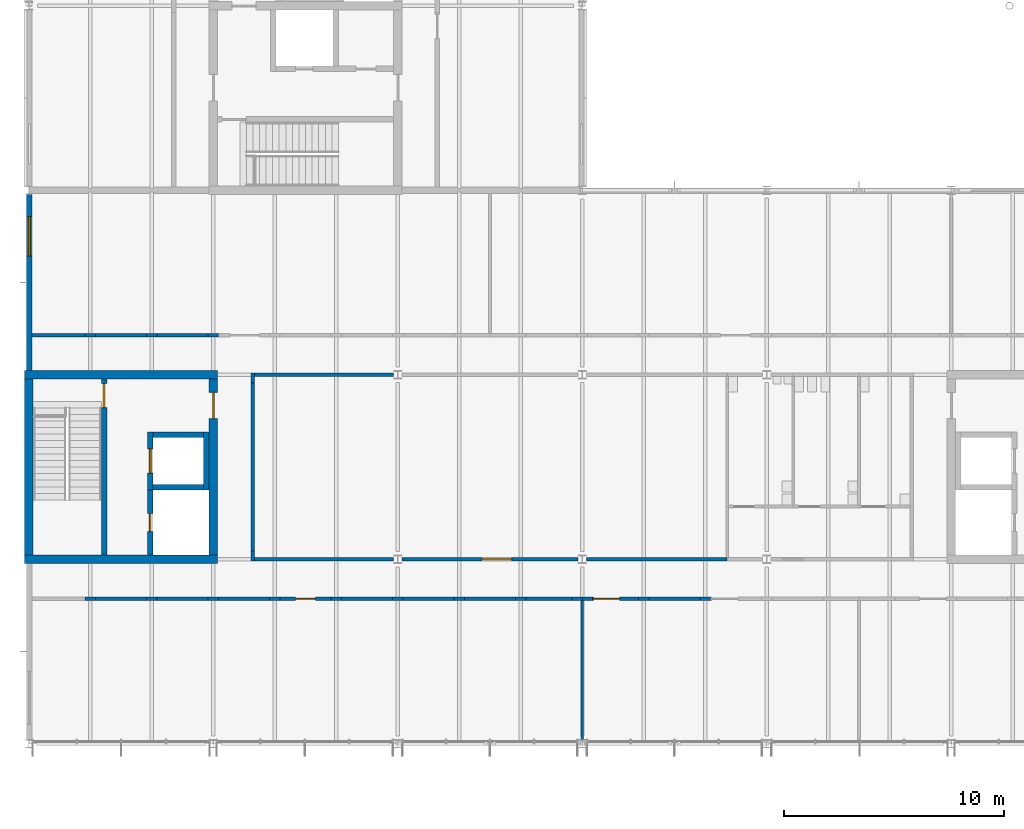
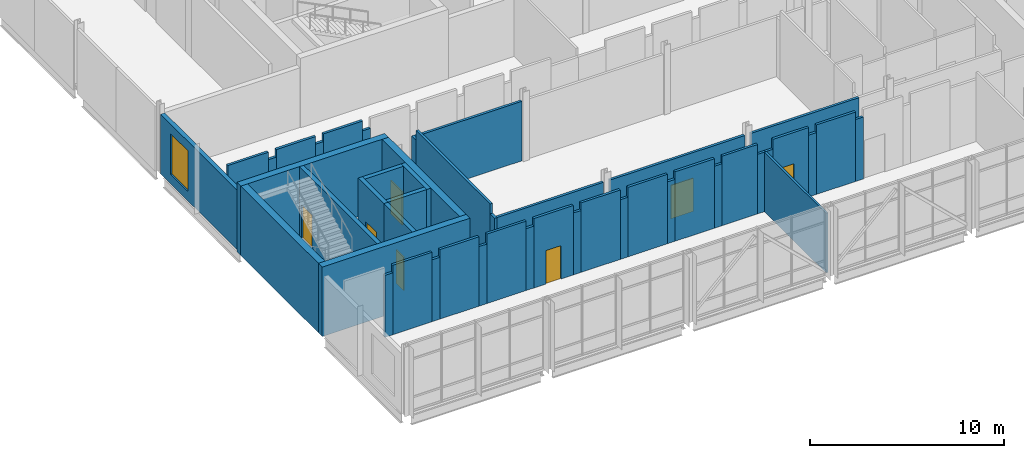
# One storey, part 47 of 89: 47 walls, 7 doors, 1 window, 8 openings.
"""IFC4 building model written with IfcOpenShell, lengths in metres."""

from ifc_helpers import new_model, si_unit, direction, frame, frame_2d, origin, place, context, subcontext, project, spatial, rectangle, extrude, material, layer, layer_set, type_object, element, fill, save


model = new_model("IFC4")

# Units and contexts
model_context = context("Model", 3, precision=1e-05, world=origin(), true_north=direction((0.0, 1.0)))
body_context = subcontext(model_context, "Body", "Model", "MODEL_VIEW")
ifc_project = project(units=[si_unit("LENGTHUNIT", "METRE"), si_unit("AREAUNIT", "SQUARE_METRE"), si_unit("VOLUMEUNIT", "CUBIC_METRE"), si_unit("PLANEANGLEUNIT", "RADIAN"), si_unit("MASSUNIT", "GRAM", prefix="KILO")], contexts=[model_context])

# Site, building, storey
site_placement = place(None, origin())
site = spatial("IfcSite", under=ifc_project, at=site_placement, CompositionType="ELEMENT")
building_placement = place(site_placement, origin())
building = spatial("IfcBuilding", under=site, at=building_placement, Name="Hlaing Beacon Police Headquarters", CompositionType="ELEMENT")
storey_placement = place(building_placement, frame((0.0, 0.0, 9.89990234375)))
storey = spatial("IfcBuildingStorey", under=building, at=storey_placement, Name="L02", CompositionType="ELEMENT", Elevation=9.89990234375)

# Walls
ifc_material_1 = material(Name="Concrete C60/75", Category="concrete")
ifc_layer_1 = layer(ifc_material_1, 0.39990234375)
ifc_layer_set_1 = layer_set([ifc_layer_1], Name="Concrete C60/75")
wall_type_1 = type_object("IfcWallType", Name="Core shear wall 400", PredefinedType="SHEAR", material=ifc_layer_set_1)
for number, where, z_axis, x_axis, name in (
    (1, (8.199951171875, 16.800048828125, 0.0), (0.0, 0.0, 1.0), (1.0, 0.0, 0.0), "Core shear wall"),
    (2, (8.199951171875, 25.199951171875, 0.0), (0.0, 0.0, 1.0), (1.0, 0.0, 0.0), "Core shear wall"),
):
    element("IfcWall", number, at=place(storey_placement, frame(where, z_axis=z_axis, x_axis=x_axis)), inside=storey, type_object=wall_type_1, Name=name, PredefinedType="SHEAR", context=body_context, shape_type="SweptSolid", body=[
        extrude(rectangle(XDim=8.800048828125, YDim=0.39990234375, at=frame_2d((4.39990234375, 0.0))), origin(), (0.0, 0.0, 1.0), 4.3701171875),
    ])
wall_1_placement = place(storey_placement, frame((8.39990234375, 17.0, 0.0), z_axis=(0.0, 0.0, 1.0), x_axis=(0.0, 1.0, 0.0)))
element("IfcWall", 3, at=wall_1_placement, inside=storey, type_object=wall_type_1, Name="Core shear wall", PredefinedType="SHEAR", context=body_context, shape_type="SweptSolid", body=[
    extrude(rectangle(XDim=8.0, YDim=0.39990234375, at=frame_2d((4.0, 0.0))), origin(), (0.0, 0.0, 1.0), 4.3701171875),
])

# Wall, opening, door
wall_2_placement = place(storey_placement, frame((16.800048828125, 17.0, 0.0), z_axis=(0.0, 0.0, 1.0), x_axis=(0.0, 1.0, 0.0)))
wall_2 = element("IfcWall", 4, at=wall_2_placement, inside=storey, type_object=wall_type_1, Name="Core shear wall", PredefinedType="SHEAR", context=body_context, shape_type="SweptSolid", body=[
    extrude(rectangle(XDim=8.0, YDim=0.39990234375, at=frame_2d((4.0, 0.0))), origin(), (0.0, 0.0, 1.0), 4.3701171875),
])
opening_1_placement = place(wall_2_placement, frame((6.199951171875, 0.0, 0.0)))
opening_1 = element("IfcOpeningElement", 5, at=opening_1_placement, cuts=wall_2, Name="Opening L02-908", PredefinedType="OPENING", context=body_context, shape_type="SweptSolid", body=[
    extrude(rectangle(XDim=1.199951171875, YDim=2.10009765625, at=frame_2d((0.60009765625, 1.050048828125))), frame((0.0, 0.2099609375, 0.0), z_axis=(0.0, -1.0, 0.0), x_axis=(1.0, 0.0, 0.0)), (0.0, 0.0, 1.0), 0.419921875),
])
ifc_material_2 = material(Name="Steel fire door leaf", Category="steel")
ifc_layer_2 = layer(ifc_material_2, 0.070068359375)
ifc_layer_set_2 = layer_set([ifc_layer_2], Name="Steel fire door leaf")
door_type_1 = type_object("IfcDoorType", Name="Steel fire door FD60S 1200x2100", OperationType="SINGLE_SWING_LEFT", PredefinedType="DOOR", material=ifc_layer_set_2)
door_1_placement = place(opening_1_placement, origin())
door_1 = element("IfcDoor", 6, at=door_1_placement, inside=storey, type_object=door_type_1, Name="Door Lift and Stair Lobby ST-J Entry", OperationType="SINGLE_SWING_RIGHT", OverallHeight=2.10009765625, OverallWidth=1.199951171875, PredefinedType="DOOR", context=body_context, shape_type="SweptSolid", body=[
    extrude(rectangle(XDim=1.199951171875, YDim=2.10009765625, at=frame_2d((0.60009765625, 1.050048828125))), frame((0.0, 0.03515625, 0.0), z_axis=(0.0, -1.0, 0.0), x_axis=(1.0, 0.0, 0.0)), (0.0, 0.0, 1.0), 0.070068359375),
])
fill(opening_1, door_1)

# Walls
ifc_material_3 = material(Name="Gypsum board partition")
ifc_layer_3 = layer(ifc_material_3, 0.14990234375)
ifc_layer_set_3 = layer_set([ifc_layer_3], Name="Gypsum board partition")
wall_type_2 = type_object("IfcWallType", Name="Corridor wall EI 30 150", PredefinedType="PARTITIONING", material=ifc_layer_set_3)
wall_3_placement = place(storey_placement, frame((18.60009765625, 16.72509765625, 0.0), z_axis=(0.0, 0.0, 1.0), x_axis=(0.0, 1.0, 0.0)))
element("IfcWall", 7, at=wall_3_placement, inside=storey, type_object=wall_type_2, Name="Corridor wall EI 30 150", PredefinedType="PARTITIONING", context=body_context, shape_type="SweptSolid", body=[
    extrude(rectangle(XDim=0.4599609375, YDim=0.14990234375, at=frame_2d((0.22998046875, 0.0))), origin(), (0.0, 0.0, 1.0), 3.74609375),
])
wall_4_placement = place(storey_placement, frame((18.60009765625, 17.18505859375, 0.0), z_axis=(0.0, 0.0, 1.0), x_axis=(0.0, 1.0, 0.0)))
element("IfcWall", 8, at=wall_4_placement, inside=storey, type_object=wall_type_2, Name="Corridor wall EI 30 150", PredefinedType="PARTITIONING", context=body_context, shape_type="SweptSolid", body=[
    extrude(rectangle(XDim=7.6298828125, YDim=0.14990234375, at=frame_2d((3.81494140625, 0.0))), origin(), (0.0, 0.0, 1.0), 4.3701171875),
])
wall_5_placement = place(storey_placement, frame((18.60009765625, 24.81494140625, 0.0), z_axis=(0.0, 0.0, 1.0), x_axis=(0.0, 1.0, 0.0)))
element("IfcWall", 9, at=wall_5_placement, inside=storey, type_object=wall_type_2, Name="Corridor wall EI 30 150", PredefinedType="PARTITIONING", context=body_context, shape_type="SweptSolid", body=[
    extrude(rectangle(XDim=0.4599609375, YDim=0.14990234375, at=frame_2d((0.22998046875, 0.0))), origin(), (0.0, 0.0, 1.0), 3.74609375),
])
wall_6_placement = place(storey_placement, frame((18.675048828125, 16.800048828125, 0.0), z_axis=(0.0, 0.0, 1.0), x_axis=(1.0, 0.0, 0.0)))
element("IfcWall", 10, at=wall_6_placement, inside=storey, type_object=wall_type_2, Name="Corridor wall EI 30 150", PredefinedType="PARTITIONING", context=body_context, shape_type="SweptSolid", body=[
    extrude(rectangle(XDim=6.3388671875, YDim=0.14990234375, at=frame_2d((3.16943359375, 0.0))), origin(), (0.0, 0.0, 1.0), 3.74609375),
])

# Wall, opening, door
wall_7_placement = place(storey_placement, frame((25.385986328125, 16.800048828125, 0.0), z_axis=(0.0, 0.0, 1.0), x_axis=(1.0, 0.0, 0.0)))
wall_7 = element("IfcWall", 11, at=wall_7_placement, inside=storey, type_object=wall_type_2, Name="Corridor wall EI 30 150", PredefinedType="PARTITIONING", context=body_context, shape_type="SweptSolid", body=[
    extrude(rectangle(XDim=8.029052734375, YDim=0.14990234375, at=frame_2d((4.0146484375, 0.0))), origin(), (0.0, 0.0, 1.0), 3.74609375),
])
opening_2_placement = place(wall_7_placement, frame((3.64990234375, 0.0, 0.0)))
opening_2 = element("IfcOpeningElement", 12, at=opening_2_placement, cuts=wall_7, Name="Opening L02-008", PredefinedType="OPENING", context=body_context, shape_type="SweptSolid", body=[
    extrude(rectangle(XDim=1.35009765625, YDim=2.10009765625, at=frame_2d((0.675048828125, 1.050048828125))), frame((0.0, 0.0849609375, 0.0), z_axis=(0.0, -1.0, 0.0), x_axis=(1.0, 0.0, 0.0)), (0.0, 0.0, 1.0), 0.169921875),
])
ifc_material_4 = material(Name="Hardwood door leaf", Category="wood")
ifc_layer_4 = layer(ifc_material_4, 0.050048828125)
ifc_layer_set_4 = layer_set([ifc_layer_4], Name="Hardwood door leaf")
door_type_2 = type_object("IfcDoorType", Name="Fire leaf-and-a-half door FD30S 1350x2100", OperationType="DOUBLE_DOOR_SINGLE_SWING", PredefinedType="DOOR", material=ifc_layer_set_4)
door_2_placement = place(opening_2_placement, origin())
door_2 = element("IfcDoor", 13, at=door_2_placement, inside=storey, type_object=door_type_2, Name="Door Corporate Communications", OperationType="DOUBLE_DOOR_SINGLE_SWING", OverallHeight=2.10009765625, OverallWidth=1.35009765625, PredefinedType="DOOR", context=body_context, shape_type="SweptSolid", body=[
    extrude(rectangle(XDim=1.35009765625, YDim=2.10009765625, at=frame_2d((0.675048828125, 1.050048828125))), frame((0.0, 0.02490234375, 0.0), z_axis=(0.0, -1.0, 0.0), x_axis=(1.0, 0.0, 0.0)), (0.0, 0.0, 1.0), 0.050048828125),
])
fill(opening_2, door_2)

# Walls
wall_8_placement = place(storey_placement, frame((33.784912109375, 16.800048828125, 0.0), z_axis=(0.0, 0.0, 1.0), x_axis=(1.0, 0.0, 0.0)))
element("IfcWall", 14, at=wall_8_placement, inside=storey, type_object=wall_type_2, Name="Corridor wall EI 30 150", PredefinedType="PARTITIONING", context=body_context, shape_type="SweptSolid", body=[
    extrude(rectangle(XDim=6.4150390625, YDim=0.14990234375, at=frame_2d((3.20751953125, 0.0))), origin(), (0.0, 0.0, 1.0), 3.74609375),
])
wall_9_placement = place(storey_placement, frame((18.675048828125, 25.199951171875, 0.0), z_axis=(0.0, 0.0, 1.0), x_axis=(1.0, 0.0, 0.0)))
element("IfcWall", 15, at=wall_9_placement, inside=storey, type_object=wall_type_2, Name="Corridor wall EI 30 150", PredefinedType="PARTITIONING", context=body_context, shape_type="SweptSolid", body=[
    extrude(rectangle(XDim=6.3388671875, YDim=0.14990234375, at=frame_2d((3.16943359375, 0.0))), origin(), (0.0, 0.0, 1.0), 3.74609375),
])
wall_10_placement = place(storey_placement, frame((8.550048828125, 27.0, 0.0), z_axis=(0.0, 0.0, 1.0), x_axis=(1.0, 0.0, 0.0)))
element("IfcWall", 16, at=wall_10_placement, inside=storey, type_object=wall_type_2, Name="Corridor wall EI 30 150", PredefinedType="PARTITIONING", context=body_context, shape_type="SweptSolid", body=[
    extrude(rectangle(XDim=2.419921875, YDim=0.14990234375, at=frame_2d((1.2099609375, 0.0))), origin(), (0.0, 0.0, 1.0), 4.3701171875),
])
wall_11_placement = place(storey_placement, frame((10.969970703125, 27.0, 0.0), z_axis=(0.0, 0.0, 1.0), x_axis=(1.0, 0.0, 0.0)))
element("IfcWall", 17, at=wall_11_placement, inside=storey, type_object=wall_type_2, Name="Corridor wall EI 30 150", PredefinedType="PARTITIONING", context=body_context, shape_type="SweptSolid", body=[
    extrude(rectangle(XDim=0.4599609375, YDim=0.14990234375, at=frame_2d((0.22998046875, 0.0))), origin(), (0.0, 0.0, 1.0), 3.89501953125),
])
wall_12_placement = place(storey_placement, frame((11.429931640625, 27.0, 0.0), z_axis=(0.0, 0.0, 1.0), x_axis=(1.0, 0.0, 0.0)))
element("IfcWall", 18, at=wall_12_placement, inside=storey, type_object=wall_type_2, Name="Corridor wall EI 30 150", PredefinedType="PARTITIONING", context=body_context, shape_type="SweptSolid", body=[
    extrude(rectangle(XDim=2.340087890625, YDim=0.14990234375, at=frame_2d((1.169921875, 0.0))), origin(), (0.0, 0.0, 1.0), 4.3701171875),
])
wall_13_placement = place(storey_placement, frame((13.77001953125, 27.0, 0.0), z_axis=(0.0, 0.0, 1.0), x_axis=(1.0, 0.0, 0.0)))
element("IfcWall", 19, at=wall_13_placement, inside=storey, type_object=wall_type_2, Name="Corridor wall EI 30 150", PredefinedType="PARTITIONING", context=body_context, shape_type="SweptSolid", body=[
    extrude(rectangle(XDim=0.4599609375, YDim=0.14990234375, at=frame_2d((0.22998046875, 0.0))), origin(), (0.0, 0.0, 1.0), 3.89501953125),
])
wall_14_placement = place(storey_placement, frame((14.22998046875, 27.0, 0.0), z_axis=(0.0, 0.0, 1.0), x_axis=(1.0, 0.0, 0.0)))
element("IfcWall", 20, at=wall_14_placement, inside=storey, type_object=wall_type_2, Name="Corridor wall EI 30 150", PredefinedType="PARTITIONING", context=body_context, shape_type="SweptSolid", body=[
    extrude(rectangle(XDim=2.340087890625, YDim=0.14990234375, at=frame_2d((1.169921875, 0.0))), origin(), (0.0, 0.0, 1.0), 4.3701171875),
])
wall_15_placement = place(storey_placement, frame((16.570068359375, 27.0, 0.0), z_axis=(0.0, 0.0, 1.0), x_axis=(1.0, 0.0, 0.0)))
element("IfcWall", 21, at=wall_15_placement, inside=storey, type_object=wall_type_2, Name="Corridor wall EI 30 150", PredefinedType="PARTITIONING", context=body_context, shape_type="SweptSolid", body=[
    extrude(rectangle(XDim=0.4599609375, YDim=0.14990234375, at=frame_2d((0.22998046875, 0.0))), origin(), (0.0, 0.0, 1.0), 3.74609375),
])
wall_16_placement = place(storey_placement, frame((10.969970703125, 15.0, 0.0), z_axis=(0.0, 0.0, 1.0), x_axis=(1.0, 0.0, 0.0)))
element("IfcWall", 22, at=wall_16_placement, inside=storey, type_object=wall_type_2, Name="Corridor wall EI 30 150", PredefinedType="PARTITIONING", context=body_context, shape_type="SweptSolid", body=[
    extrude(rectangle(XDim=0.4599609375, YDim=0.14990234375, at=frame_2d((0.22998046875, 0.0))), origin(), (0.0, 0.0, 1.0), 3.89501953125),
])
wall_17_placement = place(storey_placement, frame((11.429931640625, 15.0, 0.0), z_axis=(0.0, 0.0, 1.0), x_axis=(1.0, 0.0, 0.0)))
element("IfcWall", 23, at=wall_17_placement, inside=storey, type_object=wall_type_2, Name="Corridor wall EI 30 150", PredefinedType="PARTITIONING", context=body_context, shape_type="SweptSolid", body=[
    extrude(rectangle(XDim=2.340087890625, YDim=0.14990234375, at=frame_2d((1.169921875, 0.0))), origin(), (0.0, 0.0, 1.0), 4.3701171875),
])
wall_18_placement = place(storey_placement, frame((13.77001953125, 15.0, 0.0), z_axis=(0.0, 0.0, 1.0), x_axis=(1.0, 0.0, 0.0)))
element("IfcWall", 24, at=wall_18_placement, inside=storey, type_object=wall_type_2, Name="Corridor wall EI 30 150", PredefinedType="PARTITIONING", context=body_context, shape_type="SweptSolid", body=[
    extrude(rectangle(XDim=0.4599609375, YDim=0.14990234375, at=frame_2d((0.22998046875, 0.0))), origin(), (0.0, 0.0, 1.0), 3.89501953125),
])
wall_19_placement = place(storey_placement, frame((14.22998046875, 15.0, 0.0), z_axis=(0.0, 0.0, 1.0), x_axis=(1.0, 0.0, 0.0)))
element("IfcWall", 25, at=wall_19_placement, inside=storey, type_object=wall_type_2, Name="Corridor wall EI 30 150", PredefinedType="PARTITIONING", context=body_context, shape_type="SweptSolid", body=[
    extrude(rectangle(XDim=2.340087890625, YDim=0.14990234375, at=frame_2d((1.169921875, 0.0))), origin(), (0.0, 0.0, 1.0), 4.3701171875),
])
wall_20_placement = place(storey_placement, frame((16.570068359375, 15.0, 0.0), z_axis=(0.0, 0.0, 1.0), x_axis=(1.0, 0.0, 0.0)))
element("IfcWall", 26, at=wall_20_placement, inside=storey, type_object=wall_type_2, Name="Corridor wall EI 30 150", PredefinedType="PARTITIONING", context=body_context, shape_type="SweptSolid", body=[
    extrude(rectangle(XDim=0.4599609375, YDim=0.14990234375, at=frame_2d((0.22998046875, 0.0))), origin(), (0.0, 0.0, 1.0), 3.74609375),
])
wall_21_placement = place(storey_placement, frame((17.030029296875, 15.0, 0.0), z_axis=(0.0, 0.0, 1.0), x_axis=(1.0, 0.0, 0.0)))
element("IfcWall", 27, at=wall_21_placement, inside=storey, type_object=wall_type_2, Name="Corridor wall EI 30 150", PredefinedType="PARTITIONING", context=body_context, shape_type="SweptSolid", body=[
    extrude(rectangle(XDim=2.340087890625, YDim=0.14990234375, at=frame_2d((1.169921875, 0.0))), origin(), (0.0, 0.0, 1.0), 4.3701171875),
])
wall_22_placement = place(storey_placement, frame((19.3701171875, 15.0, 0.0), z_axis=(0.0, 0.0, 1.0), x_axis=(1.0, 0.0, 0.0)))
element("IfcWall", 28, at=wall_22_placement, inside=storey, type_object=wall_type_2, Name="Corridor wall EI 30 150", PredefinedType="PARTITIONING", context=body_context, shape_type="SweptSolid", body=[
    extrude(rectangle(XDim=0.4599609375, YDim=0.14990234375, at=frame_2d((0.22998046875, 0.0))), origin(), (0.0, 0.0, 1.0), 3.89501953125),
])

# Wall, opening, door
wall_23_placement = place(storey_placement, frame((19.830078125, 15.0, 0.0), z_axis=(0.0, 0.0, 1.0), x_axis=(1.0, 0.0, 0.0)))
wall_23 = element("IfcWall", 29, at=wall_23_placement, inside=storey, type_object=wall_type_2, Name="Corridor wall EI 30 150", PredefinedType="PARTITIONING", context=body_context, shape_type="SweptSolid", body=[
    extrude(rectangle(XDim=2.33984375, YDim=0.14990234375, at=frame_2d((1.169921875, 0.0))), origin(), (0.0, 0.0, 1.0), 4.3701171875),
])
opening_3_placement = place(wall_23_placement, frame((0.719970703125, 0.0, 0.0)))
opening_3 = element("IfcOpeningElement", 30, at=opening_3_placement, cuts=wall_23, Name="Opening L02-016", PredefinedType="OPENING", context=body_context, shape_type="SweptSolid", body=[
    extrude(rectangle(XDim=0.89990234375, YDim=2.10009765625, at=frame_2d((0.449951171875, 1.050048828125))), frame((0.0, 0.0849609375, 0.0), z_axis=(0.0, -1.0, 0.0), x_axis=(1.0, 0.0, 0.0)), (0.0, 0.0, 1.0), 0.169921875),
])
ifc_material_5 = material(Name="Hardwood door leaf", Category="wood")
ifc_layer_5 = layer(ifc_material_5, 0.050048828125)
ifc_layer_set_5 = layer_set([ifc_layer_5], Name="Hardwood door leaf")
door_type_3 = type_object("IfcDoorType", Name="Fire door FD30S 900x2100", OperationType="SINGLE_SWING_LEFT", PredefinedType="DOOR", material=ifc_layer_set_5)
door_3_placement = place(opening_3_placement, frame((0.89990234375, 0.0, 0.0), z_axis=(0.0, 0.0, 1.0), x_axis=(-1.0, 0.0, 0.0)))
door_3 = element("IfcDoor", 31, at=door_3_placement, inside=storey, type_object=door_type_3, Name="Door Chief of Police Suite", OperationType="SINGLE_SWING_LEFT", OverallHeight=2.10009765625, OverallWidth=0.89990234375, PredefinedType="DOOR", context=body_context, shape_type="SweptSolid", body=[
    extrude(rectangle(XDim=0.89990234375, YDim=2.10009765625, at=frame_2d((0.449951171875, 1.050048828125))), frame((0.0, 0.025146484375, 0.0), z_axis=(0.0, -1.0, 0.0), x_axis=(1.0, 0.0, 0.0)), (0.0, 0.0, 1.0), 0.050048828125),
])
fill(opening_3, door_3)

# Walls
wall_24_placement = place(storey_placement, frame((22.169921875, 15.0, 0.0), z_axis=(0.0, 0.0, 1.0), x_axis=(1.0, 0.0, 0.0)))
element("IfcWall", 32, at=wall_24_placement, inside=storey, type_object=wall_type_2, Name="Corridor wall EI 30 150", PredefinedType="PARTITIONING", context=body_context, shape_type="SweptSolid", body=[
    extrude(rectangle(XDim=0.4599609375, YDim=0.14990234375, at=frame_2d((0.22998046875, 0.0))), origin(), (0.0, 0.0, 1.0), 3.89501953125),
])
wall_25_placement = place(storey_placement, frame((22.6298828125, 15.0, 0.0), z_axis=(0.0, 0.0, 1.0), x_axis=(1.0, 0.0, 0.0)))
element("IfcWall", 33, at=wall_25_placement, inside=storey, type_object=wall_type_2, Name="Corridor wall EI 30 150", PredefinedType="PARTITIONING", context=body_context, shape_type="SweptSolid", body=[
    extrude(rectangle(XDim=2.340087890625, YDim=0.14990234375, at=frame_2d((1.169921875, 0.0))), origin(), (0.0, 0.0, 1.0), 4.3701171875),
])
wall_26_placement = place(storey_placement, frame((24.969970703125, 15.0, 0.0), z_axis=(0.0, 0.0, 1.0), x_axis=(1.0, 0.0, 0.0)))
element("IfcWall", 34, at=wall_26_placement, inside=storey, type_object=wall_type_2, Name="Corridor wall EI 30 150", PredefinedType="PARTITIONING", context=body_context, shape_type="SweptSolid", body=[
    extrude(rectangle(XDim=0.4599609375, YDim=0.14990234375, at=frame_2d((0.22998046875, 0.0))), origin(), (0.0, 0.0, 1.0), 3.74609375),
])
wall_27_placement = place(storey_placement, frame((25.429931640625, 15.0, 0.0), z_axis=(0.0, 0.0, 1.0), x_axis=(1.0, 0.0, 0.0)))
element("IfcWall", 35, at=wall_27_placement, inside=storey, type_object=wall_type_2, Name="Corridor wall EI 30 150", PredefinedType="PARTITIONING", context=body_context, shape_type="SweptSolid", body=[
    extrude(rectangle(XDim=2.340087890625, YDim=0.14990234375, at=frame_2d((1.169921875, 0.0))), origin(), (0.0, 0.0, 1.0), 4.3701171875),
])
wall_28_placement = place(storey_placement, frame((27.77001953125, 15.0, 0.0), z_axis=(0.0, 0.0, 1.0), x_axis=(1.0, 0.0, 0.0)))
element("IfcWall", 36, at=wall_28_placement, inside=storey, type_object=wall_type_2, Name="Corridor wall EI 30 150", PredefinedType="PARTITIONING", context=body_context, shape_type="SweptSolid", body=[
    extrude(rectangle(XDim=0.4599609375, YDim=0.14990234375, at=frame_2d((0.22998046875, 0.0))), origin(), (0.0, 0.0, 1.0), 3.89501953125),
])
wall_29_placement = place(storey_placement, frame((28.22998046875, 15.0, 0.0), z_axis=(0.0, 0.0, 1.0), x_axis=(1.0, 0.0, 0.0)))
element("IfcWall", 37, at=wall_29_placement, inside=storey, type_object=wall_type_2, Name="Corridor wall EI 30 150", PredefinedType="PARTITIONING", context=body_context, shape_type="SweptSolid", body=[
    extrude(rectangle(XDim=2.340087890625, YDim=0.14990234375, at=frame_2d((1.169921875, 0.0))), origin(), (0.0, 0.0, 1.0), 4.3701171875),
])
wall_30_placement = place(storey_placement, frame((30.570068359375, 15.0, 0.0), z_axis=(0.0, 0.0, 1.0), x_axis=(1.0, 0.0, 0.0)))
element("IfcWall", 38, at=wall_30_placement, inside=storey, type_object=wall_type_2, Name="Corridor wall EI 30 150", PredefinedType="PARTITIONING", context=body_context, shape_type="SweptSolid", body=[
    extrude(rectangle(XDim=0.4599609375, YDim=0.14990234375, at=frame_2d((0.22998046875, 0.0))), origin(), (0.0, 0.0, 1.0), 3.89501953125),
])
wall_31_placement = place(storey_placement, frame((31.030029296875, 15.0, 0.0), z_axis=(0.0, 0.0, 1.0), x_axis=(1.0, 0.0, 0.0)))
element("IfcWall", 39, at=wall_31_placement, inside=storey, type_object=wall_type_2, Name="Corridor wall EI 30 150", PredefinedType="PARTITIONING", context=body_context, shape_type="SweptSolid", body=[
    extrude(rectangle(XDim=2.10986328125, YDim=0.14990234375, at=frame_2d((1.054931640625, 0.0))), origin(), (0.0, 0.0, 1.0), 4.3701171875),
])
wall_32_placement = place(storey_placement, frame((33.139892578125, 15.0, 0.0), z_axis=(0.0, 0.0, 1.0), x_axis=(1.0, 0.0, 0.0)))
element("IfcWall", 40, at=wall_32_placement, inside=storey, type_object=wall_type_2, Name="Corridor wall EI 30 150", PredefinedType="PARTITIONING", context=body_context, shape_type="SweptSolid", body=[
    extrude(rectangle(XDim=0.460205078125, YDim=0.14990234375, at=frame_2d((0.22998046875, 0.0))), origin(), (0.0, 0.0, 1.0), 3.74609375),
])
wall_33_placement = place(storey_placement, frame((33.60009765625, 15.0, 0.0), z_axis=(0.0, 0.0, 1.0), x_axis=(1.0, 0.0, 0.0)))
element("IfcWall", 41, at=wall_33_placement, inside=storey, type_object=wall_type_2, Name="Corridor wall EI 30 150", PredefinedType="PARTITIONING", context=body_context, shape_type="SweptSolid", body=[
    extrude(rectangle(XDim=0.4599609375, YDim=0.14990234375, at=frame_2d((0.22998046875, 0.0))), origin(), (0.0, 0.0, 1.0), 3.74609375),
])

# Wall, opening, door
wall_34_placement = place(storey_placement, frame((34.06005859375, 15.0, 0.0), z_axis=(0.0, 0.0, 1.0), x_axis=(1.0, 0.0, 0.0)))
wall_34 = element("IfcWall", 42, at=wall_34_placement, inside=storey, type_object=wall_type_2, Name="Corridor wall EI 30 150", PredefinedType="PARTITIONING", context=body_context, shape_type="SweptSolid", body=[
    extrude(rectangle(XDim=2.10986328125, YDim=0.14990234375, at=frame_2d((1.054931640625, 0.0))), origin(), (0.0, 0.0, 1.0), 4.3701171875),
])
opening_4_placement = place(wall_34_placement, frame((0.0400390625, 0.0, 0.0)))
opening_4 = element("IfcOpeningElement", 43, at=opening_4_placement, cuts=wall_34, Name="Opening L02-017", PredefinedType="OPENING", context=body_context, shape_type="SweptSolid", body=[
    extrude(rectangle(XDim=1.199951171875, YDim=2.39990234375, at=frame_2d((0.60009765625, 1.199951171875))), frame((0.0, 0.0849609375, 0.0), z_axis=(0.0, -1.0, 0.0), x_axis=(1.0, 0.0, 0.0)), (0.0, 0.0, 1.0), 0.169921875),
])
ifc_material_6 = material(Name="Hardwood door leaf", Category="wood")
ifc_layer_6 = layer(ifc_material_6, 0.050048828125)
ifc_layer_set_6 = layer_set([ifc_layer_6], Name="Hardwood door leaf")
door_type_4 = type_object("IfcDoorType", Name="Fire public door FD30S 1200x2400", OperationType="SINGLE_SWING_LEFT", PredefinedType="DOOR", material=ifc_layer_set_6)
door_4_placement = place(opening_4_placement, origin())
door_4 = element("IfcDoor", 44, at=door_4_placement, inside=storey, type_object=door_type_4, Name="Door Executive Meeting Room", OperationType="SINGLE_SWING_LEFT", OverallHeight=2.39990234375, OverallWidth=1.199951171875, PredefinedType="DOOR", context=body_context, shape_type="SweptSolid", body=[
    extrude(rectangle(XDim=1.199951171875, YDim=2.39990234375, at=frame_2d((0.60009765625, 1.199951171875))), frame((0.0, 0.02490234375, 0.0), z_axis=(0.0, -1.0, 0.0), x_axis=(1.0, 0.0, 0.0)), (0.0, 0.0, 1.0), 0.050048828125),
])
fill(opening_4, door_4)

# Walls
wall_35_placement = place(storey_placement, frame((36.169921875, 15.0, 0.0), z_axis=(0.0, 0.0, 1.0), x_axis=(1.0, 0.0, 0.0)))
element("IfcWall", 45, at=wall_35_placement, inside=storey, type_object=wall_type_2, Name="Corridor wall EI 30 150", PredefinedType="PARTITIONING", context=body_context, shape_type="SweptSolid", body=[
    extrude(rectangle(XDim=0.4599609375, YDim=0.14990234375, at=frame_2d((0.22998046875, 0.0))), origin(), (0.0, 0.0, 1.0), 3.89501953125),
])
wall_36_placement = place(storey_placement, frame((36.6298828125, 15.0, 0.0), z_axis=(0.0, 0.0, 1.0), x_axis=(1.0, 0.0, 0.0)))
element("IfcWall", 46, at=wall_36_placement, inside=storey, type_object=wall_type_2, Name="Corridor wall EI 30 150", PredefinedType="PARTITIONING", context=body_context, shape_type="SweptSolid", body=[
    extrude(rectangle(XDim=2.340087890625, YDim=0.14990234375, at=frame_2d((1.169921875, 0.0))), origin(), (0.0, 0.0, 1.0), 4.3701171875),
])
wall_37_placement = place(storey_placement, frame((38.969970703125, 15.0, 0.0), z_axis=(0.0, 0.0, 1.0), x_axis=(1.0, 0.0, 0.0)))
element("IfcWall", 47, at=wall_37_placement, inside=storey, type_object=wall_type_2, Name="Corridor wall EI 30 150", PredefinedType="PARTITIONING", context=body_context, shape_type="SweptSolid", body=[
    extrude(rectangle(XDim=0.4599609375, YDim=0.14990234375, at=frame_2d((0.22998046875, 0.0))), origin(), (0.0, 0.0, 1.0), 3.89501953125),
])
ifc_material_7 = material(Name="Gypsum board partition")
ifc_layer_7 = layer(ifc_material_7, 0.125)
ifc_layer_set_7 = layer_set([ifc_layer_7], Name="Gypsum board partition")
wall_type_3 = type_object("IfcWallType", Name="Partition 125", PredefinedType="PARTITIONING", material=ifc_layer_set_7)
wall_38_placement = place(storey_placement, frame((33.60009765625, 8.5810546875, 0.0), z_axis=(0.0, 0.0, 1.0), x_axis=(0.0, 1.0, 0.0)))
element("IfcWall", 48, at=wall_38_placement, inside=storey, type_object=wall_type_3, Name="Partition 125", PredefinedType="PARTITIONING", context=body_context, shape_type="SweptSolid", body=[
    extrude(rectangle(XDim=6.343994140625, YDim=0.125, at=frame_2d((3.171875, 0.0))), origin(), (0.0, 0.0, 1.0), 3.74609375),
])

# Wall, opening, window
ifc_material_8 = material(Name="Concrete C40/50 precast ribbed cladding", Category="concrete")
ifc_layer_8 = layer(ifc_material_8, 0.25)
ifc_layer_set_8 = layer_set([ifc_layer_8], Name="Concrete C40/50 precast ribbed cladding")
wall_type_4 = type_object("IfcWallType", Name="Precast ribbed wall 250", PredefinedType="SOLIDWALL", material=ifc_layer_set_8)
wall_39_placement = place(storey_placement, frame((8.425048828125, 33.429443359375, 0.0), z_axis=(0.0, 0.0, 1.0), x_axis=(0.0, -1.0, 0.0)))
wall_39 = element("IfcWall", 49, at=wall_39_placement, inside=storey, type_object=wall_type_4, Name="External wall L02 W026", PredefinedType="SOLIDWALL", context=body_context, shape_type="SweptSolid", body=[
    extrude(rectangle(XDim=8.029541015625, YDim=0.25, at=frame_2d((4.0146484375, 0.0))), origin(), (0.0, 0.0, 1.0), 3.74609375),
])
opening_5_placement = place(wall_39_placement, frame((1.029541015625, 0.0, 0.60009765625)))
opening_5 = element("IfcOpeningElement", 50, at=opening_5_placement, cuts=wall_39, Name="Opening WN31", PredefinedType="OPENING", context=body_context, shape_type="SweptSolid", body=[
    extrude(rectangle(XDim=1.800048828125, YDim=2.550048828125, at=frame_2d((0.89990234375, 1.27490234375))), frame((0.0, 0.135009765625, 0.0), z_axis=(0.0, -1.0, 0.0), x_axis=(1.0, 0.0, 0.0)), (0.0, 0.0, 1.0), 0.27001953125),
])
ifc_material_9 = material(Name="Aluminium frame with solar control glazing", Category="aluminium")
window_type = type_object("IfcWindowType", Name="Wide window 1800x2550 frame 80", PartitioningType="SINGLE_PANEL", PredefinedType="WINDOW", material=ifc_material_9)
window_placement = place(opening_5_placement, origin())
window = element("IfcWindow", 51, at=window_placement, inside=storey, type_object=window_type, Name="Window L02 WM", OverallHeight=2.550048828125, OverallWidth=1.800048828125, PartitioningType="SINGLE_PANEL", PredefinedType="WINDOW", context=body_context, shape_type="SweptSolid", body=[
    extrude(rectangle(XDim=1.800048828125, YDim=2.550048828125, at=frame_2d((0.89990234375, 1.27490234375))), frame((0.0, 0.0400390625, 0.0), z_axis=(0.0, -1.0, 0.0), x_axis=(1.0, 0.0, 0.0)), (0.0, 0.0, 1.0), 0.080078125),
])
fill(opening_5, window)

# Wall, opening, door
ifc_material_10 = material(Name="Concrete C40/50", Category="concrete")
ifc_layer_9 = layer(ifc_material_10, 0.25)
ifc_layer_set_9 = layer_set([ifc_layer_9], Name="Concrete C40/50")
wall_type_5 = type_object("IfcWallType", Name="Shaft wall 250", PredefinedType="SOLIDWALL", material=ifc_layer_set_9)
wall_40_placement = place(storey_placement, frame((11.824951171875, 25.0, 0.0), z_axis=(0.0, 0.0, 1.0), x_axis=(0.0, -1.0, 0.0)))
wall_40 = element("IfcWall", 52, at=wall_40_placement, inside=storey, type_object=wall_type_5, Name="Stair enclosure wall", PredefinedType="SOLIDWALL", context=body_context, shape_type="SweptSolid", body=[
    extrude(rectangle(XDim=8.0, YDim=0.25, at=frame_2d((4.0, 0.0))), origin(), (0.0, 0.0, 1.0), 4.3701171875),
])
opening_6_placement = place(wall_40_placement, frame((0.199951171875, 0.0, 0.0)))
opening_6 = element("IfcOpeningElement", 53, at=opening_6_placement, cuts=wall_40, Name="Opening L02-910", PredefinedType="OPENING", context=body_context, shape_type="SweptSolid", body=[
    extrude(rectangle(XDim=1.10009765625, YDim=2.10009765625, at=frame_2d((0.550048828125, 1.050048828125))), frame((0.0, 0.135009765625, 0.0), z_axis=(0.0, -1.0, 0.0), x_axis=(1.0, 0.0, 0.0)), (0.0, 0.0, 1.0), 0.27001953125),
])
ifc_material_11 = material(Name="Steel fire door leaf", Category="steel")
ifc_layer_10 = layer(ifc_material_11, 0.070068359375)
ifc_layer_set_10 = layer_set([ifc_layer_10], Name="Steel fire door leaf")
door_type_5 = type_object("IfcDoorType", Name="Steel fire door FD60 1100x2100", OperationType="SINGLE_SWING_LEFT", PredefinedType="DOOR", material=ifc_layer_set_10)
door_5_placement = place(opening_6_placement, frame((1.10009765625, 0.0, 0.0), z_axis=(0.0, 0.0, 1.0), x_axis=(-1.0, 0.0, 0.0)))
door_5 = element("IfcDoor", 54, at=door_5_placement, inside=storey, type_object=door_type_5, Name="Door Stair ST-J", OperationType="SINGLE_SWING_LEFT", OverallHeight=2.10009765625, OverallWidth=1.10009765625, PredefinedType="DOOR", context=body_context, shape_type="SweptSolid", body=[
    extrude(rectangle(XDim=1.10009765625, YDim=2.10009765625, at=frame_2d((0.550048828125, 1.050048828125))), frame((0.0, 0.034912109375, 0.0), z_axis=(0.0, -1.0, 0.0), x_axis=(1.0, 0.0, 0.0)), (0.0, 0.0, 1.0), 0.070068359375),
])
fill(opening_6, door_5)

wall_41_placement = place(storey_placement, frame((13.925048828125, 19.949951171875, 0.0), z_axis=(0.0, 0.0, 1.0), x_axis=(0.0, -1.0, 0.0)))
wall_41 = element("IfcWall", 55, at=wall_41_placement, inside=storey, type_object=wall_type_5, Name="Lobby wall", PredefinedType="SOLIDWALL", context=body_context, shape_type="SweptSolid", body=[
    extrude(rectangle(XDim=2.949951171875, YDim=0.25, at=frame_2d((1.47509765625, 0.0))), origin(), (0.0, 0.0, 1.0), 4.3701171875),
])
opening_7_placement = place(wall_41_placement, frame((1.074951171875, 0.0, 0.0)))
opening_7 = element("IfcOpeningElement", 56, at=opening_7_placement, cuts=wall_41, Name="Opening L02-909", PredefinedType="OPENING", context=body_context, shape_type="SweptSolid", body=[
    extrude(rectangle(XDim=0.800048828125, YDim=2.10009765625, at=frame_2d((0.39990234375, 1.050048828125))), frame((0.0, 0.135009765625, 0.0), z_axis=(0.0, -1.0, 0.0), x_axis=(1.0, 0.0, 0.0)), (0.0, 0.0, 1.0), 0.27001953125),
])
ifc_material_12 = material(Name="Steel fire door leaf", Category="steel")
ifc_layer_11 = layer(ifc_material_12, 0.070068359375)
ifc_layer_set_11 = layer_set([ifc_layer_11], Name="Steel fire door leaf")
door_type_6 = type_object("IfcDoorType", Name="Steel fire door FD60 800x2100", OperationType="SINGLE_SWING_LEFT", PredefinedType="DOOR", material=ifc_layer_set_11)
door_6_placement = place(opening_7_placement, origin())
door_6 = element("IfcDoor", 57, at=door_6_placement, inside=storey, type_object=door_type_6, Name="Door Services Riser", OperationType="SINGLE_SWING_LEFT", OverallHeight=2.10009765625, OverallWidth=0.800048828125, PredefinedType="DOOR", context=body_context, shape_type="SweptSolid", body=[
    extrude(rectangle(XDim=0.800048828125, YDim=2.10009765625, at=frame_2d((0.39990234375, 1.050048828125))), frame((0.0, 0.03515625, 0.0), z_axis=(0.0, -1.0, 0.0), x_axis=(1.0, 0.0, 0.0)), (0.0, 0.0, 1.0), 0.070068359375),
])
fill(opening_7, door_6)

# Walls
wall_42_placement = place(storey_placement, frame((16.47509765625, 19.949951171875, 0.0), z_axis=(0.0, 0.0, 1.0), x_axis=(0.0, 1.0, 0.0)))
element("IfcWall", 58, at=wall_42_placement, inside=storey, type_object=wall_type_5, Name="Lift shaft wall PL5", PredefinedType="SOLIDWALL", context=body_context, shape_type="SweptSolid", body=[
    extrude(rectangle(XDim=2.650146484375, YDim=0.25, at=frame_2d((1.3251953125, 0.0))), origin(), (0.0, 0.0, 1.0), 4.3701171875),
])
for number, where, z_axis, x_axis, name in (
    (59, (14.050048828125, 22.47509765625, 0.0), (0.0, 0.0, 1.0), (1.0, 0.0, 0.0), "Lift shaft wall PL5"),
    (60, (14.050048828125, 20.074951171875, 0.0), (0.0, 0.0, 1.0), (1.0, 0.0, 0.0), "Lift shaft wall PL5"),
):
    element("IfcWall", number, at=place(storey_placement, frame(where, z_axis=z_axis, x_axis=x_axis)), inside=storey, type_object=wall_type_5, Name=name, PredefinedType="SOLIDWALL", context=body_context, shape_type="SweptSolid", body=[
        extrude(rectangle(XDim=2.300048828125, YDim=0.25, at=frame_2d((1.14990234375, 0.0))), origin(), (0.0, 0.0, 1.0), 4.3701171875),
    ])

# Wall, opening, door
wall_43_placement = place(storey_placement, frame((13.925048828125, 19.949951171875, 0.0), z_axis=(0.0, 0.0, 1.0), x_axis=(0.0, 1.0, 0.0)))
wall_43 = element("IfcWall", 61, at=wall_43_placement, inside=storey, type_object=wall_type_5, Name="Lift shaft wall PL5", PredefinedType="SOLIDWALL", context=body_context, shape_type="SweptSolid", body=[
    extrude(rectangle(XDim=2.650146484375, YDim=0.25, at=frame_2d((1.3251953125, 0.0))), origin(), (0.0, 0.0, 1.0), 4.3701171875),
])
opening_8_placement = place(wall_43_placement, frame((0.77490234375, 0.0, 0.0)))
opening_8 = element("IfcOpeningElement", 62, at=opening_8_placement, cuts=wall_43, Name="Opening LD-PL5-L02", PredefinedType="OPENING", context=body_context, shape_type="SweptSolid", body=[
    extrude(rectangle(XDim=1.10009765625, YDim=2.10009765625, at=frame_2d((0.550048828125, 1.050048828125))), frame((0.0, 0.135009765625, 0.0), z_axis=(0.0, -1.0, 0.0), x_axis=(1.0, 0.0, 0.0)), (0.0, 0.0, 1.0), 0.27001953125),
])
ifc_material_13 = material(Name="Stainless steel lift landing door", Category="steel")
ifc_layer_12 = layer(ifc_material_13, 0.06005859375)
ifc_layer_set_12 = layer_set([ifc_layer_12], Name="Stainless steel lift landing door")
door_type_7 = type_object("IfcDoorType", Name="Lift landing door 1100x2100", OperationType="DOUBLE_DOOR_SLIDING", PredefinedType="DOOR", material=ifc_layer_set_12)
door_7_placement = place(opening_8_placement, origin())
door_7 = element("IfcDoor", 63, at=door_7_placement, inside=storey, type_object=door_type_7, Name="Landing door PL5 L02", OperationType="DOUBLE_DOOR_SLIDING", OverallHeight=2.10009765625, OverallWidth=1.10009765625, PredefinedType="DOOR", context=body_context, shape_type="SweptSolid", body=[
    extrude(rectangle(XDim=1.10009765625, YDim=2.10009765625, at=frame_2d((0.550048828125, 1.050048828125))), frame((0.0, 0.0400390625, 0.0), z_axis=(0.0, -1.0, 0.0), x_axis=(1.0, 0.0, 0.0)), (0.0, 0.0, 1.0), 0.080078125),
])
fill(opening_8, door_7)

save(model, "model.ifc")
